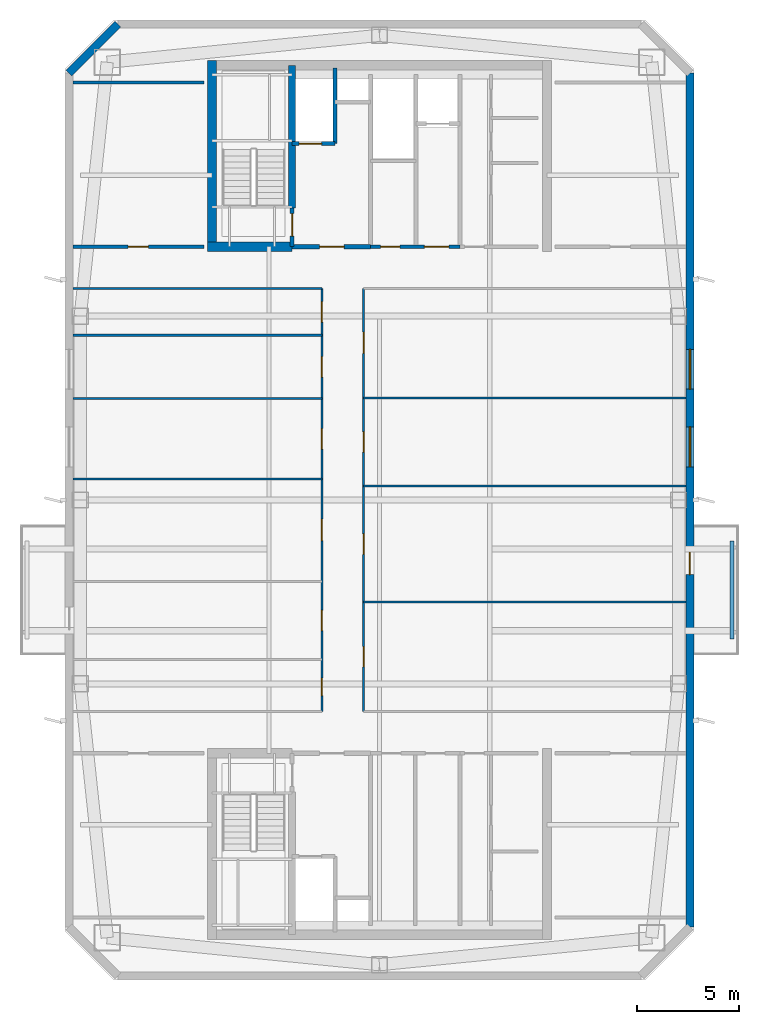
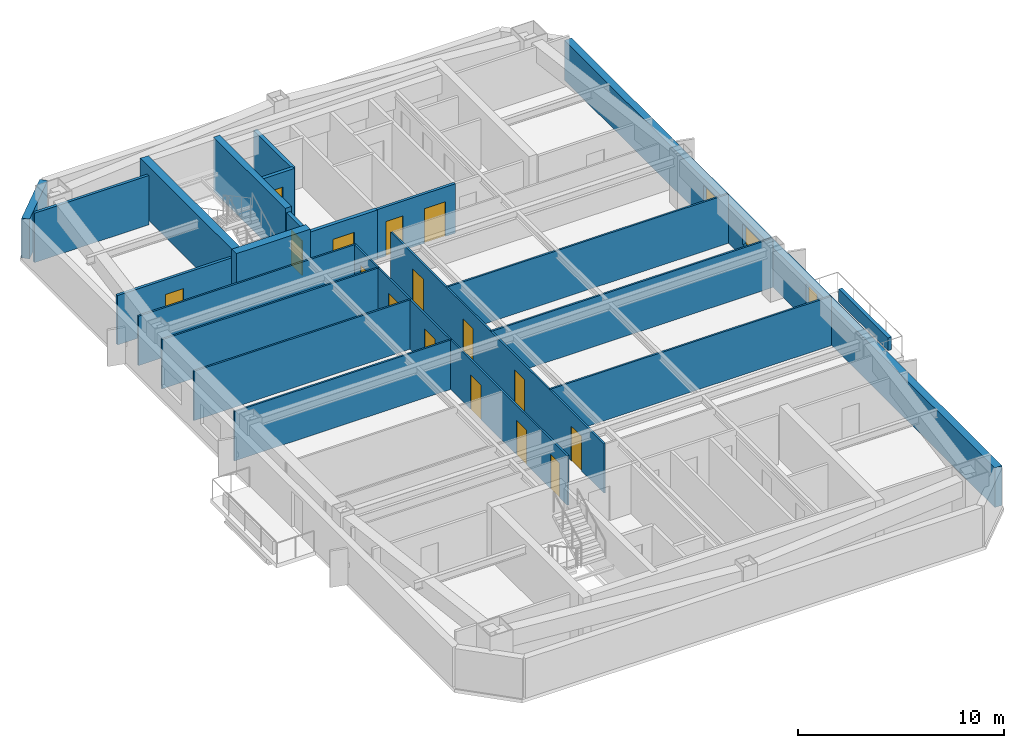
# One storey, part 3 of 7: 22 walls, 17 doors, 2 windows, 19 openings.
"""IFC4 building model written with IfcOpenShell, lengths in metres."""

from ifc_helpers import new_model, si_unit, direction, frame, frame_2d, origin, place, context, subcontext, project, spatial, rectangle, extrude, material, layer, layer_set, type_object, element, fill, save


model = new_model("IFC4")

# Units and contexts
model_context = context("Model", 3, precision=1e-05, world=origin(), true_north=direction((0.0, 1.0)))
body_context = subcontext(model_context, "Body", "Model", "MODEL_VIEW")
ifc_project = project(units=[si_unit("LENGTHUNIT", "METRE"), si_unit("AREAUNIT", "SQUARE_METRE"), si_unit("VOLUMEUNIT", "CUBIC_METRE"), si_unit("PLANEANGLEUNIT", "RADIAN"), si_unit("MASSUNIT", "GRAM", prefix="KILO")], contexts=[model_context])

# Site, building, storey
site_placement = place(None, origin())
site = spatial("IfcSite", under=ifc_project, at=site_placement, CompositionType="ELEMENT")
building_placement = place(site_placement, origin())
building = spatial("IfcBuilding", under=site, at=building_placement, Name="Qiaolan Cultural Towers", CompositionType="ELEMENT")
storey_placement = place(building_placement, frame((0.0, 0.0, 256.800048828125)))
storey = spatial("IfcBuildingStorey", under=building, at=storey_placement, Name="L70", CompositionType="ELEMENT", Elevation=256.800048828125)

# Walls
ifc_material_1 = material(Name="Concrete C50", Category="concrete")
ifc_layer_1 = layer(ifc_material_1, 0.35009765625)
ifc_layer_set_1 = layer_set([ifc_layer_1], Name="Concrete C50")
wall_type_1 = type_object("IfcWallType", Name="WL-CORE-350", PredefinedType="SHEAR", material=ifc_layer_set_1)
wall_1_placement = place(storey_placement, frame((25.719970703125, 48.300048828125, 0.0), z_axis=(0.0, 0.0, 1.0), x_axis=(0.0, 1.0, 0.0)))
element("IfcWall", 1, at=wall_1_placement, inside=storey, type_object=wall_type_1, Name="L70 T1-CN Stair Core Dividing Web", PredefinedType="SHEAR", context=body_context, shape_type="SweptSolid", body=[
    extrude(rectangle(XDim=6.97998046875, YDim=0.35009765625, at=frame_2d((3.489990234375, 0.0))), origin(), (0.0, 0.0, 1.0), 3.199951171875),
])
ifc_material_2 = material(Name="Concrete C50", Category="concrete")
ifc_layer_2 = layer(ifc_material_2, 0.449951171875)
ifc_layer_set_2 = layer_set([ifc_layer_2], Name="Concrete C50")
wall_type_2 = type_object("IfcWallType", Name="WL-CORE-450", PredefinedType="SHEAR", material=ifc_layer_set_2)
wall_2_placement = place(storey_placement, frame((21.800048828125, 46.175048828125, 0.0), z_axis=(0.0, 0.0, 1.0), x_axis=(0.0, 1.0, 0.0)))
element("IfcWall", 2, at=wall_2_placement, inside=storey, type_object=wall_type_2, Name="L70 T1-CN West Core Shear Wall", PredefinedType="SHEAR", context=body_context, shape_type="SweptSolid", body=[
    extrude(rectangle(XDim=9.329833984375, YDim=0.449951171875, at=frame_2d((4.6650390625, 0.0))), origin(), (0.0, 0.0, 1.0), 3.199951171875),
])
wall_3_placement = place(storey_placement, frame((21.574951171875, 46.39990234375, 0.0), z_axis=(0.0, 0.0, 1.0), x_axis=(1.0, 0.0, 0.0)))
element("IfcWall", 3, at=wall_3_placement, inside=storey, type_object=wall_type_2, Name="L70 T1-CN Stair Front Shear Wall", PredefinedType="SHEAR", context=body_context, shape_type="SweptSolid", body=[
    extrude(rectangle(XDim=4.14501953125, YDim=0.449951171875, at=frame_2d((2.072509765625, 0.0))), origin(), (0.0, 0.0, 1.0), 3.199951171875),
])
ifc_material_3 = material(Name="Precast Concrete C50 Honed Stone Pier", Category="masonry")
ifc_layer_3 = layer(ifc_material_3, 0.39990234375)
ifc_layer_set_3 = layer_set([ifc_layer_3], Name="Precast Concrete C50 Honed Stone Pier")
wall_type_3 = type_object("IfcWallType", Name="WL-EXT-PIER-400", PredefinedType="SOLIDWALL", material=ifc_layer_set_3)
wall_4_placement = place(storey_placement, frame((14.800048828125, 54.89990234375, 0.0), z_axis=(0.0, 0.0, 1.0), x_axis=(0.707070815327, 0.707142745217, 0.0)))
element("IfcWall", 4, at=wall_4_placement, inside=storey, type_object=wall_type_3, Name="L70 West Tower Precast Pier Facade Wall F2", PredefinedType="SOLIDWALL", context=body_context, shape_type="SweptSolid", body=[
    extrude(rectangle(XDim=3.39404296875, YDim=0.39990234375, at=frame_2d((1.697021484375, 0.0))), origin(), (0.0, 0.0, 1.0), 2.35986328125),
])

# Wall, openings, door, windows
wall_5_placement = place(storey_placement, frame((45.199951171875, 54.89990234375, 0.0), z_axis=(0.0, 0.0, 1.0), x_axis=(0.0, -1.0, 0.0)))
wall_5 = element("IfcWall", 5, at=wall_5_placement, inside=storey, type_object=wall_type_3, Name="L70 West Tower Precast Pier Facade Wall F5", PredefinedType="SOLIDWALL", context=body_context, shape_type="SweptSolid", body=[
    extrude(rectangle(XDim=41.7998046875, YDim=0.39990234375, at=frame_2d((20.89990234375, 0.0))), origin(), (0.0, 0.0, 1.0), 2.35986328125),
])
opening_1_placement = place(wall_5_placement, frame((17.324951171875, 0.0, 0.75)))
opening_1 = element("IfcOpeningElement", 6, at=opening_1_placement, cuts=wall_5, Name="Opening W-06", PredefinedType="OPENING", context=body_context, shape_type="SweptSolid", body=[
    extrude(rectangle(XDim=1.949951171875, YDim=1.2099609375, at=frame_2d((0.97509765625, 0.60498046875))), frame((0.0, 0.2099609375, 0.0), z_axis=(0.0, -1.0, 0.0), x_axis=(1.0, 0.0, 0.0)), (0.0, 0.0, 1.0), 0.419921875),
])
opening_2_placement = place(wall_5_placement, frame((13.52490234375, 0.0, 0.75)))
opening_2 = element("IfcOpeningElement", 7, at=opening_2_placement, cuts=wall_5, Name="Opening W-06", PredefinedType="OPENING", context=body_context, shape_type="SweptSolid", body=[
    extrude(rectangle(XDim=1.949951171875, YDim=1.2099609375, at=frame_2d((0.97509765625, 0.60498046875))), frame((0.0, 0.2099609375, 0.0), z_axis=(0.0, -1.0, 0.0), x_axis=(1.0, 0.0, 0.0)), (0.0, 0.0, 1.0), 0.419921875),
])
opening_3_placement = place(wall_5_placement, frame((23.449951171875, 0.0, 0.0)))
opening_3 = element("IfcOpeningElement", 8, at=opening_3_placement, cuts=wall_5, Name="Opening BD-01", PredefinedType="OPENING", context=body_context, shape_type="SweptSolid", body=[
    extrude(rectangle(XDim=1.10009765625, YDim=2.14990234375, at=frame_2d((0.550048828125, 1.074951171875))), frame((0.0, 0.2099609375, 0.0), z_axis=(0.0, -1.0, 0.0), x_axis=(1.0, 0.0, 0.0)), (0.0, 0.0, 1.0), 0.419921875),
])
ifc_material_4 = material(Name="Thermally Broken Aluminium Glazed Terrace Door", Category="aluminium")
door_type_1 = type_object("IfcDoorType", Name="DR-BAL-1100", OperationType="NOTDEFINED", PredefinedType="DOOR", material=ifc_material_4)
door_1_placement = place(opening_3_placement, origin())
door_1 = element("IfcDoor", 9, at=door_1_placement, inside=storey, type_object=door_type_1, Name="L70 T1 East Tree Balcony Door", OperationType="SINGLE_SWING_RIGHT", OverallHeight=2.14990234375, OverallWidth=1.10009765625, PredefinedType="DOOR", context=body_context, shape_type="SweptSolid", body=[
    extrude(rectangle(XDim=1.10009765625, YDim=2.14990234375, at=frame_2d((0.550048828125, 1.074951171875))), frame((0.0, 0.02490234375, 0.0), z_axis=(0.0, -1.0, 0.0), x_axis=(1.0, 0.0, 0.0)), (0.0, 0.0, 1.0), 0.050048828125),
])
fill(opening_3, door_1)
ifc_material_5 = material(Name="Thermally Broken Aluminium Triple Low-E Glazing", Category="aluminium")
window_type = type_object("IfcWindowType", Name="WN-CHIC-1950", PartitioningType="SINGLE_PANEL", PredefinedType="WINDOW", material=ifc_material_5)
window_1_placement = place(opening_1_placement, origin())
window_1 = element("IfcWindow", 10, at=window_1_placement, inside=storey, type_object=window_type, Name="L70 T1 E Chicago Bay Window 1", OverallHeight=1.2099609375, OverallWidth=1.949951171875, PartitioningType="TRIPLE_PANEL_VERTICAL", PredefinedType="WINDOW", context=body_context, shape_type="SweptSolid", body=[
    extrude(rectangle(XDim=1.949951171875, YDim=1.2099609375, at=frame_2d((0.97509765625, 0.60498046875))), frame((0.0, 0.030029296875, 0.0), z_axis=(0.0, -1.0, 0.0), x_axis=(1.0, 0.0, 0.0)), (0.0, 0.0, 1.0), 0.06005859375),
])
fill(opening_1, window_1)
window_2_placement = place(opening_2_placement, origin())
window_2 = element("IfcWindow", 11, at=window_2_placement, inside=storey, type_object=window_type, Name="L70 T1 E Chicago Bay Window 2", OverallHeight=1.2099609375, OverallWidth=1.949951171875, PartitioningType="TRIPLE_PANEL_VERTICAL", PredefinedType="WINDOW", context=body_context, shape_type="SweptSolid", body=[
    extrude(rectangle(XDim=1.949951171875, YDim=1.2099609375, at=frame_2d((0.97509765625, 0.60498046875))), frame((0.0, 0.030029296875, 0.0), z_axis=(0.0, -1.0, 0.0), x_axis=(1.0, 0.0, 0.0)), (0.0, 0.0, 1.0), 0.06005859375),
])
fill(opening_2, window_2)

# Wall, opening, door
ifc_material_6 = material(Name="Concrete C35 Fire Wall", Category="concrete")
ifc_layer_4 = layer(ifc_material_6, 0.199951171875)
ifc_layer_set_4 = layer_set([ifc_layer_4], Name="Concrete C35 Fire Wall")
wall_type_4 = type_object("IfcWallType", Name="WL-FIRE-200", PredefinedType="PARTITIONING", material=ifc_layer_set_4)
wall_6_placement = place(storey_placement, frame((25.719970703125, 46.39990234375, 0.0), z_axis=(0.0, 0.0, 1.0), x_axis=(0.0, 1.0, 0.0)))
wall_6 = element("IfcWall", 12, at=wall_6_placement, inside=storey, type_object=wall_type_4, Name="L70 T1-CN Smokeproof Stair Entry Wall", PredefinedType="PARTITIONING", context=body_context, shape_type="SweptSolid", body=[
    extrude(rectangle(XDim=1.900146484375, YDim=0.199951171875, at=frame_2d((0.9501953125, 0.0))), origin(), (0.0, 0.0, 1.0), 2.925048828125),
])
opening_4_placement = place(wall_6_placement, frame((0.52001953125, 0.0, 0.0)))
opening_4 = element("IfcOpeningElement", 13, at=opening_4_placement, cuts=wall_6, Name="Opening FD-04", PredefinedType="OPENING", context=body_context, shape_type="SweptSolid", body=[
    extrude(rectangle(XDim=1.10009765625, YDim=2.050048828125, at=frame_2d((0.550048828125, 1.02490234375))), frame((0.0, 0.10986328125, 0.0), z_axis=(0.0, -1.0, 0.0), x_axis=(1.0, 0.0, 0.0)), (0.0, 0.0, 1.0), 0.219970703125),
])
ifc_material_7 = material(Name="Galvanized Steel Command Fire Door", Category="steel")
door_type_2 = type_object("IfcDoorType", Name="DR-FD90-1100", OperationType="NOTDEFINED", PredefinedType="DOOR", material=ifc_material_7)
door_2_placement = place(opening_4_placement, origin())
door_2 = element("IfcDoor", 14, at=door_2_placement, inside=storey, type_object=door_type_2, Name="L70 ST-W2 Smokeproof Stair Fire Door", OperationType="SINGLE_SWING_LEFT", OverallHeight=2.050048828125, OverallWidth=1.10009765625, PredefinedType="DOOR", context=body_context, shape_type="SweptSolid", body=[
    extrude(rectangle(XDim=1.10009765625, YDim=2.050048828125, at=frame_2d((0.550048828125, 1.02490234375))), frame((0.0, 0.02490234375, 0.0), z_axis=(0.0, -1.0, 0.0), x_axis=(1.0, 0.0, 0.0)), (0.0, 0.0, 1.0), 0.050048828125),
])
fill(opening_4, door_2)

wall_7_placement = place(storey_placement, frame((25.719970703125, 46.39990234375, 0.0), z_axis=(0.0, 0.0, 1.0), x_axis=(1.0, 0.0, 0.0)))
wall_7 = element("IfcWall", 15, at=wall_7_placement, inside=storey, type_object=wall_type_4, Name="L70 T1-CN Firefighting Lobby Front Wall", PredefinedType="PARTITIONING", context=body_context, shape_type="SweptSolid", body=[
    extrude(rectangle(XDim=3.830078125, YDim=0.199951171875, at=frame_2d((1.9150390625, 0.0))), origin(), (0.0, 0.0, 1.0), 2.925048828125),
])
opening_5_placement = place(wall_7_placement, frame((1.35009765625, 0.0, 0.0)))
opening_5 = element("IfcOpeningElement", 16, at=opening_5_placement, cuts=wall_7, Name="Opening FD-03", PredefinedType="OPENING", context=body_context, shape_type="SweptSolid", body=[
    extrude(rectangle(XDim=1.199951171875, YDim=2.050048828125, at=frame_2d((0.60009765625, 1.02490234375))), frame((0.0, 0.10986328125, 0.0), z_axis=(0.0, -1.0, 0.0), x_axis=(1.0, 0.0, 0.0)), (0.0, 0.0, 1.0), 0.219970703125),
])
ifc_material_8 = material(Name="Galvanized Steel Smokeproof Lobby Fire Door", Category="steel")
door_type_3 = type_object("IfcDoorType", Name="DR-FD90-1200", OperationType="NOTDEFINED", PredefinedType="DOOR", material=ifc_material_8)
door_3_placement = place(opening_5_placement, origin())
door_3 = element("IfcDoor", 17, at=door_3_placement, inside=storey, type_object=door_type_3, Name="L70 FFL-W2 Firefighting Lobby Fire Door", OperationType="SINGLE_SWING_LEFT", OverallHeight=2.050048828125, OverallWidth=1.199951171875, PredefinedType="DOOR", context=body_context, shape_type="SweptSolid", body=[
    extrude(rectangle(XDim=1.199951171875, YDim=2.050048828125, at=frame_2d((0.60009765625, 1.02490234375))), frame((0.0, 0.02490234375, 0.0), z_axis=(0.0, -1.0, 0.0), x_axis=(1.0, 0.0, 0.0)), (0.0, 0.0, 1.0), 0.050048828125),
])
fill(opening_5, door_3)

wall_8_placement = place(storey_placement, frame((25.719970703125, 51.449951171875, 0.0), z_axis=(0.0, 0.0, 1.0), x_axis=(1.0, 0.0, 0.0)))
wall_8 = element("IfcWall", 18, at=wall_8_placement, inside=storey, type_object=wall_type_4, Name="L70 T1-CN Firefighting Shaft Front Wall", PredefinedType="PARTITIONING", context=body_context, shape_type="SweptSolid", body=[
    extrude(rectangle(XDim=2.10009765625, YDim=0.199951171875, at=frame_2d((1.050048828125, 0.0))), origin(), (0.0, 0.0, 1.0), 2.925048828125),
])
opening_6_placement = place(wall_8_placement, frame((0.35009765625, 0.0, 0.0)))
opening_6 = element("IfcOpeningElement", 19, at=opening_6_placement, cuts=wall_8, Name="Opening LD-01", PredefinedType="OPENING", context=body_context, shape_type="SweptSolid", body=[
    extrude(rectangle(XDim=1.10009765625, YDim=2.050048828125, at=frame_2d((0.550048828125, 1.02490234375))), frame((0.0, 0.10986328125, 0.0), z_axis=(0.0, -1.0, 0.0), x_axis=(1.0, 0.0, 0.0)), (0.0, 0.0, 1.0), 0.219970703125),
])
ifc_material_9 = material(Name="Brushed Stainless Steel S30408 Centre-Parting Lift Landing Door", Category="steel")
door_type_4 = type_object("IfcDoorType", Name="DR-LIFT-1100", OperationType="NOTDEFINED", PredefinedType="DOOR", material=ifc_material_9)
door_4_placement = place(opening_6_placement, origin())
door_4 = element("IfcDoor", 20, at=door_4_placement, inside=storey, type_object=door_type_4, Name="L70 FFL-W2 Firefighting Lift Landing Door", OperationType="DOUBLE_DOOR_SLIDING", OverallHeight=2.050048828125, OverallWidth=1.10009765625, PredefinedType="DOOR", context=body_context, shape_type="SweptSolid", body=[
    extrude(rectangle(XDim=1.10009765625, YDim=2.050048828125, at=frame_2d((0.550048828125, 1.02490234375))), frame((0.0, 0.02490234375, 0.0), z_axis=(0.0, -1.0, 0.0), x_axis=(1.0, 0.0, 0.0)), (0.0, 0.0, 1.0), 0.050048828125),
])
fill(opening_6, door_4)

# Walls
wall_9_placement = place(storey_placement, frame((27.820068359375, 51.449951171875, 0.0), z_axis=(0.0, 0.0, 1.0), x_axis=(0.0, 1.0, 0.0)))
element("IfcWall", 21, at=wall_9_placement, inside=storey, type_object=wall_type_4, Name="L70 T1-CN Firefighting Hoistway East Wall", PredefinedType="PARTITIONING", context=body_context, shape_type="SweptSolid", body=[
    extrude(rectangle(XDim=3.699951171875, YDim=0.199951171875, at=frame_2d((1.85009765625, 0.0))), origin(), (0.0, 0.0, 1.0), 2.925048828125),
])
ifc_material_10 = material(Name="Acoustic Double-Glazed Partition Frame", Category="glass")
ifc_layer_5 = layer(ifc_material_10, 0.10009765625)
ifc_layer_set_5 = layer_set([ifc_layer_5], Name="Acoustic Double-Glazed Partition Frame")
wall_type_5 = type_object("IfcWallType", Name="WL-GLAZED-100", PredefinedType="MOVABLE", material=ifc_layer_set_5)
wall_10_placement = place(storey_placement, frame((15.0, 44.35009765625, 0.0), z_axis=(0.0, 0.0, 1.0), x_axis=(1.0, 0.0, 0.0)))
element("IfcWall", 22, at=wall_10_placement, inside=storey, type_object=wall_type_5, Name="L70 T1 North Corridor Left Wall", PredefinedType="MOVABLE", context=body_context, shape_type="SweptSolid", body=[
    extrude(rectangle(XDim=12.175048828125, YDim=0.10009765625, at=frame_2d((6.08740234375, 0.0))), origin(), (0.0, 0.0, 1.0), 2.925048828125),
])

# Wall, openings, doors
wall_11_placement = place(storey_placement, frame((27.175048828125, 23.64990234375, 0.0), z_axis=(0.0, 0.0, 1.0), x_axis=(0.0, 1.0, 0.0)))
wall_11 = element("IfcWall", 23, at=wall_11_placement, inside=storey, type_object=wall_type_5, Name="L70 T1 West Spine Wall", PredefinedType="MOVABLE", context=body_context, shape_type="SweptSolid", body=[
    extrude(rectangle(XDim=20.7001953125, YDim=0.10009765625, at=frame_2d((10.35009765625, 0.0))), origin(), (0.0, 0.0, 1.0), 2.925048828125),
])
opening_7_placement = place(wall_11_placement, frame((0.77490234375, 0.0, 0.0)))
opening_7 = element("IfcOpeningElement", 24, at=opening_7_placement, cuts=wall_11, Name="Opening ID-09", PredefinedType="OPENING", context=body_context, shape_type="SweptSolid", body=[
    extrude(rectangle(XDim=0.85009765625, YDim=2.050048828125, at=frame_2d((0.425048828125, 1.02490234375))), frame((0.0, 0.06005859375, 0.0), z_axis=(0.0, -1.0, 0.0), x_axis=(1.0, 0.0, 0.0)), (0.0, 0.0, 1.0), 0.1201171875),
])
opening_8_placement = place(wall_11_placement, frame((3.949951171875, 0.0, 0.0)))
opening_8 = element("IfcOpeningElement", 25, at=opening_8_placement, cuts=wall_11, Name="Opening ID-04", PredefinedType="OPENING", context=body_context, shape_type="SweptSolid", body=[
    extrude(rectangle(XDim=1.0, YDim=2.050048828125, at=frame_2d((0.5, 1.02490234375))), frame((0.0, 0.06005859375, 0.0), z_axis=(0.0, -1.0, 0.0), x_axis=(1.0, 0.0, 0.0)), (0.0, 0.0, 1.0), 0.1201171875),
])
opening_9_placement = place(wall_11_placement, frame((8.364013671875, 0.0, 0.0)))
opening_9 = element("IfcOpeningElement", 26, at=opening_9_placement, cuts=wall_11, Name="Opening ID-07", PredefinedType="OPENING", context=body_context, shape_type="SweptSolid", body=[
    extrude(rectangle(XDim=1.050048828125, YDim=2.050048828125, at=frame_2d((0.52490234375, 1.02490234375))), frame((0.0, 0.06005859375, 0.0), z_axis=(0.0, -1.0, 0.0), x_axis=(1.0, 0.0, 0.0)), (0.0, 0.0, 1.0), 0.1201171875),
])
opening_10_placement = place(wall_11_placement, frame((12.844482421875, 0.0, 0.0)))
opening_10 = element("IfcOpeningElement", 27, at=opening_10_placement, cuts=wall_11, Name="Opening ID-04", PredefinedType="OPENING", context=body_context, shape_type="SweptSolid", body=[
    extrude(rectangle(XDim=1.0, YDim=2.050048828125, at=frame_2d((0.5, 1.02490234375))), frame((0.0, 0.06005859375, 0.0), z_axis=(0.0, -1.0, 0.0), x_axis=(1.0, 0.0, 0.0)), (0.0, 0.0, 1.0), 0.1201171875),
])
opening_11_placement = place(wall_11_placement, frame((16.363525390625, 0.0, 0.0)))
opening_11 = element("IfcOpeningElement", 28, at=opening_11_placement, cuts=wall_11, Name="Opening ID-04", PredefinedType="OPENING", context=body_context, shape_type="SweptSolid", body=[
    extrude(rectangle(XDim=1.0, YDim=2.050048828125, at=frame_2d((0.5, 1.02490234375))), frame((0.0, 0.06005859375, 0.0), z_axis=(0.0, -1.0, 0.0), x_axis=(1.0, 0.0, 0.0)), (0.0, 0.0, 1.0), 0.1201171875),
])
opening_12_placement = place(wall_11_placement, frame((19.05810546875, 0.0, 0.0)))
opening_12 = element("IfcOpeningElement", 29, at=opening_12_placement, cuts=wall_11, Name="Opening ID-04", PredefinedType="OPENING", context=body_context, shape_type="SweptSolid", body=[
    extrude(rectangle(XDim=1.0, YDim=2.050048828125, at=frame_2d((0.5, 1.02490234375))), frame((0.0, 0.06005859375, 0.0), z_axis=(0.0, -1.0, 0.0), x_axis=(1.0, 0.0, 0.0)), (0.0, 0.0, 1.0), 0.1201171875),
])
ifc_material_11 = material(Name="Oak Veneer Acoustic Office Door", Category="timber")
door_type_5 = type_object("IfcDoorType", Name="DR-INT-1000", OperationType="NOTDEFINED", PredefinedType="DOOR", material=ifc_material_11)
door_5_placement = place(opening_8_placement, origin())
door_5 = element("IfcDoor", 30, at=door_5_placement, inside=storey, type_object=door_type_5, Name="L70 T1 Summit Counsel Office Door", OperationType="SINGLE_SWING_RIGHT", OverallHeight=2.050048828125, OverallWidth=1.0, PredefinedType="DOOR", context=body_context, shape_type="SweptSolid", body=[
    extrude(rectangle(XDim=1.0, YDim=2.050048828125, at=frame_2d((0.5, 1.02490234375))), frame((0.0, 0.02490234375, 0.0), z_axis=(0.0, -1.0, 0.0), x_axis=(1.0, 0.0, 0.0)), (0.0, 0.0, 1.0), 0.050048828125),
])
fill(opening_8, door_5)
door_6_placement = place(opening_10_placement, origin())
door_6 = element("IfcDoor", 31, at=door_6_placement, inside=storey, type_object=door_type_5, Name="L70 T1 Summit Counsel Office Door", OperationType="SINGLE_SWING_RIGHT", OverallHeight=2.050048828125, OverallWidth=1.0, PredefinedType="DOOR", context=body_context, shape_type="SweptSolid", body=[
    extrude(rectangle(XDim=1.0, YDim=2.050048828125, at=frame_2d((0.5, 1.02490234375))), frame((0.0, 0.02490234375, 0.0), z_axis=(0.0, -1.0, 0.0), x_axis=(1.0, 0.0, 0.0)), (0.0, 0.0, 1.0), 0.050048828125),
])
fill(opening_10, door_6)
door_7_placement = place(opening_11_placement, origin())
door_7 = element("IfcDoor", 32, at=door_7_placement, inside=storey, type_object=door_type_5, Name="L70 T1 Wellness Room Door", OperationType="SINGLE_SWING_LEFT", OverallHeight=2.050048828125, OverallWidth=1.0, PredefinedType="DOOR", context=body_context, shape_type="SweptSolid", body=[
    extrude(rectangle(XDim=1.0, YDim=2.050048828125, at=frame_2d((0.5, 1.02490234375))), frame((0.0, 0.02490234375, 0.0), z_axis=(0.0, -1.0, 0.0), x_axis=(1.0, 0.0, 0.0)), (0.0, 0.0, 1.0), 0.050048828125),
])
fill(opening_11, door_7)
door_8_placement = place(opening_12_placement, origin())
door_8 = element("IfcDoor", 33, at=door_8_placement, inside=storey, type_object=door_type_5, Name="L70 T1 Tea Pantry Door", OperationType="SINGLE_SWING_RIGHT", OverallHeight=2.050048828125, OverallWidth=1.0, PredefinedType="DOOR", context=body_context, shape_type="SweptSolid", body=[
    extrude(rectangle(XDim=1.0, YDim=2.050048828125, at=frame_2d((0.5, 1.02490234375))), frame((0.0, 0.02490234375, 0.0), z_axis=(0.0, -1.0, 0.0), x_axis=(1.0, 0.0, 0.0)), (0.0, 0.0, 1.0), 0.050048828125),
])
fill(opening_12, door_8)
ifc_material_12 = material(Name="Oak Veneer Consultation Door", Category="timber")
door_type_6 = type_object("IfcDoorType", Name="DR-INT-1050", OperationType="NOTDEFINED", PredefinedType="DOOR", material=ifc_material_12)
door_9_placement = place(opening_9_placement, origin())
door_9 = element("IfcDoor", 34, at=door_9_placement, inside=storey, type_object=door_type_6, Name="L70 T1 Summit Counsel Office Door", OperationType="SINGLE_SWING_LEFT", OverallHeight=2.050048828125, OverallWidth=1.050048828125, PredefinedType="DOOR", context=body_context, shape_type="SweptSolid", body=[
    extrude(rectangle(XDim=1.050048828125, YDim=2.050048828125, at=frame_2d((0.52490234375, 1.02490234375))), frame((0.0, 0.02490234375, 0.0), z_axis=(0.0, -1.0, 0.0), x_axis=(1.0, 0.0, 0.0)), (0.0, 0.0, 1.0), 0.050048828125),
])
fill(opening_9, door_9)
ifc_material_13 = material(Name="Moisture-Resistant Laminate Utility Door", Category="timber")
door_type_7 = type_object("IfcDoorType", Name="DR-INT-850", OperationType="NOTDEFINED", PredefinedType="DOOR", material=ifc_material_13)
door_10_placement = place(opening_7_placement, origin())
door_10 = element("IfcDoor", 35, at=door_10_placement, inside=storey, type_object=door_type_7, Name="L70 T1 Summit Counsel Office Door", OperationType="SINGLE_SWING_LEFT", OverallHeight=2.050048828125, OverallWidth=0.85009765625, PredefinedType="DOOR", context=body_context, shape_type="SweptSolid", body=[
    extrude(rectangle(XDim=0.85009765625, YDim=2.050048828125, at=frame_2d((0.425048828125, 1.02490234375))), frame((0.0, 0.02490234375, 0.0), z_axis=(0.0, -1.0, 0.0), x_axis=(1.0, 0.0, 0.0)), (0.0, 0.0, 1.0), 0.050048828125),
])
fill(opening_7, door_10)

wall_12_placement = place(storey_placement, frame((29.22509765625, 23.64990234375, 0.0), z_axis=(0.0, 0.0, 1.0), x_axis=(0.0, 1.0, 0.0)))
wall_12 = element("IfcWall", 36, at=wall_12_placement, inside=storey, type_object=wall_type_5, Name="L70 T1 East Spine Wall", PredefinedType="MOVABLE", context=body_context, shape_type="SweptSolid", body=[
    extrude(rectangle(XDim=20.7001953125, YDim=0.10009765625, at=frame_2d((10.35009765625, 0.0))), origin(), (0.0, 0.0, 1.0), 2.925048828125),
])
opening_13_placement = place(wall_12_placement, frame((2.175048828125, 0.0, 0.0)))
opening_13 = element("IfcOpeningElement", 37, at=opening_13_placement, cuts=wall_12, Name="Opening ID-04", PredefinedType="OPENING", context=body_context, shape_type="SweptSolid", body=[
    extrude(rectangle(XDim=1.0, YDim=2.050048828125, at=frame_2d((0.5, 1.02490234375))), frame((0.0, 0.06005859375, 0.0), z_axis=(0.0, -1.0, 0.0), x_axis=(1.0, 0.0, 0.0)), (0.0, 0.0, 1.0), 0.1201171875),
])
opening_14_placement = place(wall_12_placement, frame((7.68994140625, 0.0, 0.0)))
opening_14 = element("IfcOpeningElement", 38, at=opening_14_placement, cuts=wall_12, Name="Opening ID-04", PredefinedType="OPENING", context=body_context, shape_type="SweptSolid", body=[
    extrude(rectangle(XDim=1.0, YDim=2.050048828125, at=frame_2d((0.5, 1.02490234375))), frame((0.0, 0.06005859375, 0.0), z_axis=(0.0, -1.0, 0.0), x_axis=(1.0, 0.0, 0.0)), (0.0, 0.0, 1.0), 0.1201171875),
])
opening_15_placement = place(wall_12_placement, frame((12.68994140625, 0.0, 0.0)))
opening_15 = element("IfcOpeningElement", 39, at=opening_15_placement, cuts=wall_12, Name="Opening ID-04", PredefinedType="OPENING", context=body_context, shape_type="SweptSolid", body=[
    extrude(rectangle(XDim=1.0, YDim=2.050048828125, at=frame_2d((0.5, 1.02490234375))), frame((0.0, 0.06005859375, 0.0), z_axis=(0.0, -1.0, 0.0), x_axis=(1.0, 0.0, 0.0)), (0.0, 0.0, 1.0), 0.1201171875),
])
opening_16_placement = place(wall_12_placement, frame((17.52490234375, 0.0, 0.0)))
opening_16 = element("IfcOpeningElement", 40, at=opening_16_placement, cuts=wall_12, Name="Opening ID-07", PredefinedType="OPENING", context=body_context, shape_type="SweptSolid", body=[
    extrude(rectangle(XDim=1.050048828125, YDim=2.050048828125, at=frame_2d((0.52490234375, 1.02490234375))), frame((0.0, 0.06005859375, 0.0), z_axis=(0.0, -1.0, 0.0), x_axis=(1.0, 0.0, 0.0)), (0.0, 0.0, 1.0), 0.1201171875),
])
door_11_placement = place(opening_13_placement, origin())
door_11 = element("IfcDoor", 41, at=door_11_placement, inside=storey, type_object=door_type_5, Name="L70 T1 Crown Archival Study Door", OperationType="SINGLE_SWING_RIGHT", OverallHeight=2.050048828125, OverallWidth=1.0, PredefinedType="DOOR", context=body_context, shape_type="SweptSolid", body=[
    extrude(rectangle(XDim=1.0, YDim=2.050048828125, at=frame_2d((0.5, 1.02490234375))), frame((0.0, 0.02490234375, 0.0), z_axis=(0.0, -1.0, 0.0), x_axis=(1.0, 0.0, 0.0)), (0.0, 0.0, 1.0), 0.050048828125),
])
fill(opening_13, door_11)
door_12_placement = place(opening_14_placement, origin())
door_12 = element("IfcDoor", 42, at=door_12_placement, inside=storey, type_object=door_type_5, Name="L70 T1 Crown Archival Study Door", OperationType="SINGLE_SWING_LEFT", OverallHeight=2.050048828125, OverallWidth=1.0, PredefinedType="DOOR", context=body_context, shape_type="SweptSolid", body=[
    extrude(rectangle(XDim=1.0, YDim=2.050048828125, at=frame_2d((0.5, 1.02490234375))), frame((0.0, 0.02490234375, 0.0), z_axis=(0.0, -1.0, 0.0), x_axis=(1.0, 0.0, 0.0)), (0.0, 0.0, 1.0), 0.050048828125),
])
fill(opening_14, door_12)
door_13_placement = place(opening_15_placement, origin())
door_13 = element("IfcDoor", 43, at=door_13_placement, inside=storey, type_object=door_type_5, Name="L70 T1 Edition Book Counter Door", OperationType="SINGLE_SWING_RIGHT", OverallHeight=2.050048828125, OverallWidth=1.0, PredefinedType="DOOR", context=body_context, shape_type="SweptSolid", body=[
    extrude(rectangle(XDim=1.0, YDim=2.050048828125, at=frame_2d((0.5, 1.02490234375))), frame((0.0, 0.02490234375, 0.0), z_axis=(0.0, -1.0, 0.0), x_axis=(1.0, 0.0, 0.0)), (0.0, 0.0, 1.0), 0.050048828125),
])
fill(opening_15, door_13)
door_14_placement = place(opening_16_placement, origin())
door_14 = element("IfcDoor", 44, at=door_14_placement, inside=storey, type_object=door_type_6, Name="L70 T1 Sky Lounge Door", OperationType="SINGLE_SWING_LEFT", OverallHeight=2.050048828125, OverallWidth=1.050048828125, PredefinedType="DOOR", context=body_context, shape_type="SweptSolid", body=[
    extrude(rectangle(XDim=1.050048828125, YDim=2.050048828125, at=frame_2d((0.52490234375, 1.02490234375))), frame((0.0, 0.02490234375, 0.0), z_axis=(0.0, -1.0, 0.0), x_axis=(1.0, 0.0, 0.0)), (0.0, 0.0, 1.0), 0.050048828125),
])
fill(opening_16, door_14)

# Walls
for number, where, z_axis, x_axis, name in (
    (45, (15.0, 35.028076171875, 0.0), (0.0, 0.0, 1.0), (1.0, 0.0, 0.0), "L70 T1 West Partition 3"),
    (46, (15.0, 38.9609375, 0.0), (0.0, 0.0, 1.0), (1.0, 0.0, 0.0), "L70 T1 West Partition 4"),
    (47, (15.0, 42.06591796875, 0.0), (0.0, 0.0, 1.0), (1.0, 0.0, 0.0), "L70 T1 West Partition 5"),
):
    element("IfcWall", number, at=place(storey_placement, frame(where, z_axis=z_axis, x_axis=x_axis)), inside=storey, type_object=wall_type_5, Name=name, PredefinedType="MOVABLE", context=body_context, shape_type="SweptSolid", body=[
        extrude(rectangle(XDim=12.175048828125, YDim=0.10009765625, at=frame_2d((6.08740234375, 0.0))), origin(), (0.0, 0.0, 1.0), 2.925048828125),
    ])
for number, where, z_axis, x_axis, name in (
    (48, (29.22509765625, 29.0, 0.0), (0.0, 0.0, 1.0), (1.0, 0.0, 0.0), "L70 T1 East Partition 1"),
    (49, (29.22509765625, 34.679931640625, 0.0), (0.0, 0.0, 1.0), (1.0, 0.0, 0.0), "L70 T1 East Partition 2"),
    (50, (29.22509765625, 39.0, 0.0), (0.0, 0.0, 1.0), (1.0, 0.0, 0.0), "L70 T1 East Partition 3"),
):
    element("IfcWall", number, at=place(storey_placement, frame(where, z_axis=z_axis, x_axis=x_axis)), inside=storey, type_object=wall_type_5, Name=name, PredefinedType="MOVABLE", context=body_context, shape_type="SweptSolid", body=[
        extrude(rectangle(XDim=15.77490234375, YDim=0.10009765625, at=frame_2d((7.887451171875, 0.0))), origin(), (0.0, 0.0, 1.0), 2.925048828125),
    ])

# Wall, openings, doors
ifc_material_14 = material(Name="Autoclaved Aerated Concrete Block B06", Category="concrete")
ifc_layer_6 = layer(ifc_material_14, 0.14990234375)
ifc_layer_set_6 = layer_set([ifc_layer_6], Name="Autoclaved Aerated Concrete Block B06")
wall_type_6 = type_object("IfcWallType", Name="WL-PART-150", PredefinedType="PARTITIONING", material=ifc_layer_set_6)
wall_13_placement = place(storey_placement, frame((29.550048828125, 46.39990234375, 0.0), z_axis=(0.0, 0.0, 1.0), x_axis=(1.0, 0.0, 0.0)))
wall_13 = element("IfcWall", 51, at=wall_13_placement, inside=storey, type_object=wall_type_6, Name="L70 T1-CN High-Zone Lift Lobby Wall", PredefinedType="PARTITIONING", context=body_context, shape_type="SweptSolid", body=[
    extrude(rectangle(XDim=4.39990234375, YDim=0.14990234375, at=frame_2d((2.199951171875, 0.0))), origin(), (0.0, 0.0, 1.0), 2.925048828125),
])
opening_17_placement = place(wall_13_placement, frame((0.5, 0.0, 0.0)))
opening_17 = element("IfcOpeningElement", 52, at=opening_17_placement, cuts=wall_13, Name="Opening ID-05", PredefinedType="OPENING", context=body_context, shape_type="SweptSolid", body=[
    extrude(rectangle(XDim=0.949951171875, YDim=2.050048828125, at=frame_2d((0.47509765625, 1.02490234375))), frame((0.0, 0.0849609375, 0.0), z_axis=(0.0, -1.0, 0.0), x_axis=(1.0, 0.0, 0.0)), (0.0, 0.0, 1.0), 0.169921875),
])
opening_18_placement = place(wall_13_placement, frame((2.64990234375, 0.0, 0.0)))
opening_18 = element("IfcOpeningElement", 53, at=opening_18_placement, cuts=wall_13, Name="Opening FD-06", PredefinedType="OPENING", context=body_context, shape_type="SweptSolid", body=[
    extrude(rectangle(XDim=1.199951171875, YDim=2.050048828125, at=frame_2d((0.60009765625, 1.02490234375))), frame((0.0, 0.0849609375, 0.0), z_axis=(0.0, -1.0, 0.0), x_axis=(1.0, 0.0, 0.0)), (0.0, 0.0, 1.0), 0.169921875),
])
ifc_material_15 = material(Name="Painted Steel Plant Fire Door", Category="steel")
door_type_8 = type_object("IfcDoorType", Name="DR-FD60-1200", OperationType="NOTDEFINED", PredefinedType="DOOR", material=ifc_material_15)
door_15_placement = place(opening_18_placement, origin())
door_15 = element("IfcDoor", 54, at=door_15_placement, inside=storey, type_object=door_type_8, Name="L70 Sky Shuttle Lift Lobby Door", OperationType="SINGLE_SWING_RIGHT", OverallHeight=2.050048828125, OverallWidth=1.199951171875, PredefinedType="DOOR", context=body_context, shape_type="SweptSolid", body=[
    extrude(rectangle(XDim=1.199951171875, YDim=2.050048828125, at=frame_2d((0.60009765625, 1.02490234375))), frame((0.0, 0.02490234375, 0.0), z_axis=(0.0, -1.0, 0.0), x_axis=(1.0, 0.0, 0.0)), (0.0, 0.0, 1.0), 0.050048828125),
])
fill(opening_18, door_15)
ifc_material_16 = material(Name="Fire-Rated Laminate Accessible Core Door", Category="timber")
door_type_9 = type_object("IfcDoorType", Name="DR-INT-950", OperationType="NOTDEFINED", PredefinedType="DOOR", material=ifc_material_16)
door_16_placement = place(opening_17_placement, origin())
door_16 = element("IfcDoor", 55, at=door_16_placement, inside=storey, type_object=door_type_9, Name="L70 Reclaimed Server Room Door", OperationType="SINGLE_SWING_LEFT", OverallHeight=2.050048828125, OverallWidth=0.949951171875, PredefinedType="DOOR", context=body_context, shape_type="SweptSolid", body=[
    extrude(rectangle(XDim=0.949951171875, YDim=2.050048828125, at=frame_2d((0.47509765625, 1.02490234375))), frame((0.0, 0.02490234375, 0.0), z_axis=(0.0, -1.0, 0.0), x_axis=(1.0, 0.0, 0.0)), (0.0, 0.0, 1.0), 0.050048828125),
])
fill(opening_17, door_16)

# Wall
wall_14_placement = place(storey_placement, frame((15.0, 54.449951171875, 0.0), z_axis=(0.0, 0.0, 1.0), x_axis=(1.0, 0.0, 0.0)))
element("IfcWall", 56, at=wall_14_placement, inside=storey, type_object=wall_type_6, Name="L70 T1 Flank Wall FLK-NW", PredefinedType="PARTITIONING", context=body_context, shape_type="SweptSolid", body=[
    extrude(rectangle(XDim=6.39990234375, YDim=0.14990234375, at=frame_2d((3.199951171875, 0.0))), origin(), (0.0, 0.0, 1.0), 2.925048828125),
])

# Wall, opening, door
wall_15_placement = place(storey_placement, frame((15.0, 46.39990234375, 0.0), z_axis=(0.0, 0.0, 1.0), x_axis=(1.0, 0.0, 0.0)))
wall_15 = element("IfcWall", 57, at=wall_15_placement, inside=storey, type_object=wall_type_6, Name="L70 T1 Flank Front FLK-NW", PredefinedType="PARTITIONING", context=body_context, shape_type="SweptSolid", body=[
    extrude(rectangle(XDim=6.39990234375, YDim=0.14990234375, at=frame_2d((3.199951171875, 0.0))), origin(), (0.0, 0.0, 1.0), 2.925048828125),
])
opening_19_placement = place(wall_15_placement, frame((2.68798828125, 0.0, 0.0)))
opening_19 = element("IfcOpeningElement", 58, at=opening_19_placement, cuts=wall_15, Name="Opening ID-04", PredefinedType="OPENING", context=body_context, shape_type="SweptSolid", body=[
    extrude(rectangle(XDim=1.0, YDim=2.050048828125, at=frame_2d((0.5, 1.02490234375))), frame((0.0, 0.0849609375, 0.0), z_axis=(0.0, -1.0, 0.0), x_axis=(1.0, 0.0, 0.0)), (0.0, 0.0, 1.0), 0.169921875),
])
door_17_placement = place(opening_19_placement, origin())
door_17 = element("IfcDoor", 59, at=door_17_placement, inside=storey, type_object=door_type_5, Name="L70 T1 Corner Studio Door", OperationType="SINGLE_SWING_LEFT", OverallHeight=2.050048828125, OverallWidth=1.0, PredefinedType="DOOR", context=body_context, shape_type="SweptSolid", body=[
    extrude(rectangle(XDim=1.0, YDim=2.050048828125, at=frame_2d((0.5, 1.02490234375))), frame((0.0, 0.02490234375, 0.0), z_axis=(0.0, -1.0, 0.0), x_axis=(1.0, 0.0, 0.0)), (0.0, 0.0, 1.0), 0.050048828125),
])
fill(opening_19, door_17)

# Wall
ifc_material_17 = material(Name="Precast Concrete C45 Tree Planter Upstand", Category="concrete")
ifc_layer_7 = layer(ifc_material_17, 0.199951171875)
ifc_layer_set_7 = layer_set([ifc_layer_7], Name="Precast Concrete C45 Tree Planter Upstand")
wall_type_7 = type_object("IfcWallType", Name="WL-PLANTER-200", PredefinedType="PARAPET", material=ifc_layer_set_7)
wall_16_placement = place(storey_placement, frame((47.25, 27.199951171875, 0.0), z_axis=(0.0, 0.0, 1.0), x_axis=(0.0, 1.0, 0.0)))
element("IfcWall", 60, at=wall_16_placement, inside=storey, type_object=wall_type_7, Name="L70 T1 Tree Balcony Soil Planter Box E", PredefinedType="PARAPET", context=body_context, shape_type="SweptSolid", body=[
    extrude(rectangle(XDim=4.800048828125, YDim=0.199951171875, at=frame_2d((2.39990234375, 0.0))), origin(), (0.0, 0.0, 1.0), 0.75),
])

save(model, "model.ifc")
